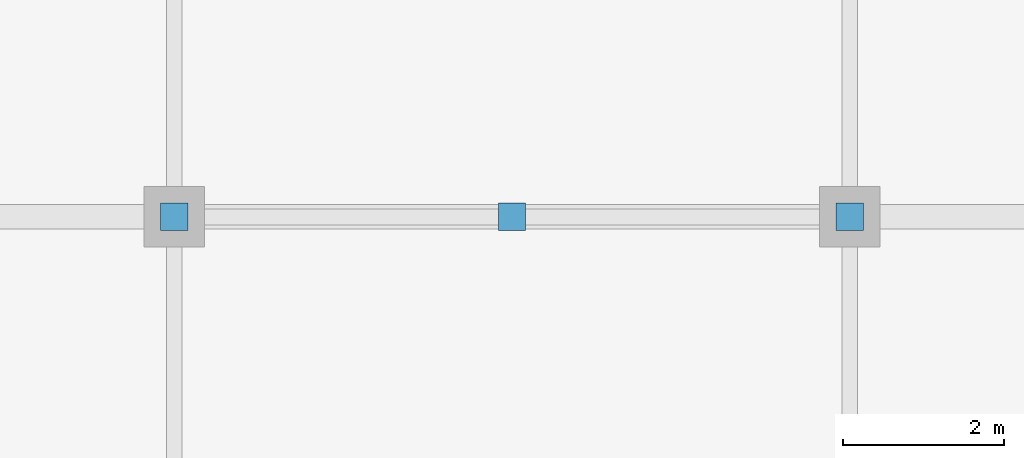
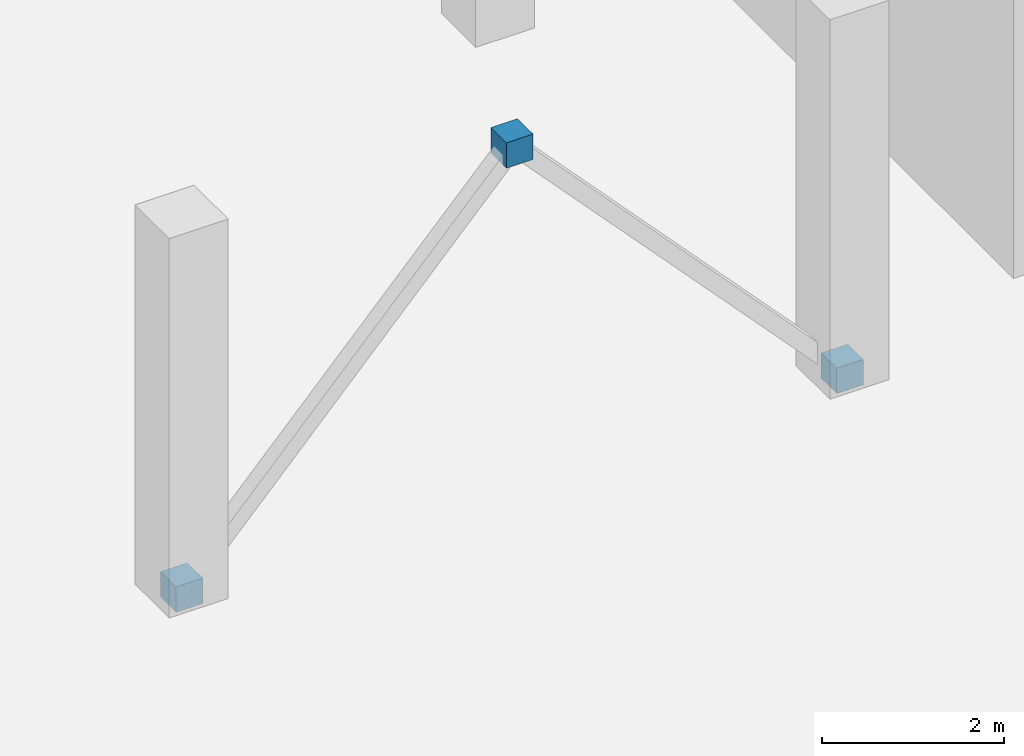
# One storey, part 91 of 105: 3 discrete accessories.
"""IFC4 building model written with IfcOpenShell, lengths in metres."""

from ifc_helpers import new_model, si_unit, direction, frame, origin, origin_2d, place, context, subcontext, project, spatial, rectangle, extrude, material, layer, layer_set, type_object, element, save


model = new_model("IFC4")

# Units and contexts
model_context = context("Model", 3, precision=1e-05, world=origin(), true_north=direction((0.0, 1.0)))
body_context = subcontext(model_context, "Body", "Model", "MODEL_VIEW")
ifc_project = project(units=[si_unit("LENGTHUNIT", "METRE"), si_unit("AREAUNIT", "SQUARE_METRE"), si_unit("VOLUMEUNIT", "CUBIC_METRE"), si_unit("PLANEANGLEUNIT", "RADIAN"), si_unit("MASSUNIT", "GRAM", prefix="KILO")], contexts=[model_context])

# Site, building, storey
site_placement = place(None, origin())
site = spatial("IfcSite", under=ifc_project, at=site_placement, CompositionType="ELEMENT")
building_placement = place(site_placement, origin())
building = spatial("IfcBuilding", under=site, at=building_placement, Name="Nabrawat Pavilion Hospital", CompositionType="ELEMENT")
storey_placement = place(building_placement, frame((0.0, 0.0, 5.10009765625)))
storey = spatial("IfcBuildingStorey", under=building, at=storey_placement, Name="L01", CompositionType="ELEMENT", Elevation=5.10009765625)

# Discrete accessories
ifc_material = material(Name="Steel S355", Category="steel")
ifc_layer = layer(ifc_material, 0.02001953125, Name="Steel S355")
ifc_layer_set = layer_set([ifc_layer], Name="Steel S355")
discrete_accessory_type = type_object("IfcDiscreteAccessoryType", Name="Brace and Strut Gusset End Bracket 20", PredefinedType="BRACKET", material=ifc_layer_set)
for number, where, z_axis, x_axis, name in (
    (1, (155.39990234375, 93.60009765625, 4.3798828125), (0.0, 0.0, 1.0), (1.0, 0.0, 0.0), "L01 Brace and Strut Gusset End Connection 0099"),
    (2, (151.199951171875, 93.60009765625, -0.1201171875), (0.0, 0.0, 1.0), (1.0, 0.0, 0.0), "L01 Brace and Strut Gusset End Connection 0100"),
    (3, (159.60009765625, 93.60009765625, -0.1201171875), (0.0, 0.0, 1.0), (1.0, 0.0, 0.0), "L01 Brace and Strut Gusset End Connection 0101"),
):
    element("IfcDiscreteAccessory", number, at=place(storey_placement, frame(where, z_axis=z_axis, x_axis=x_axis)), inside=storey, type_object=discrete_accessory_type, Name=name, PredefinedType="BRACKET", context=body_context, shape_type="SweptSolid", body=[
        extrude(rectangle(XDim=0.340087890625, YDim=0.340087890625, at=origin_2d()), origin(), (0.0, 0.0, 1.0), 0.340087890625),
    ])

save(model, "model.ifc")
